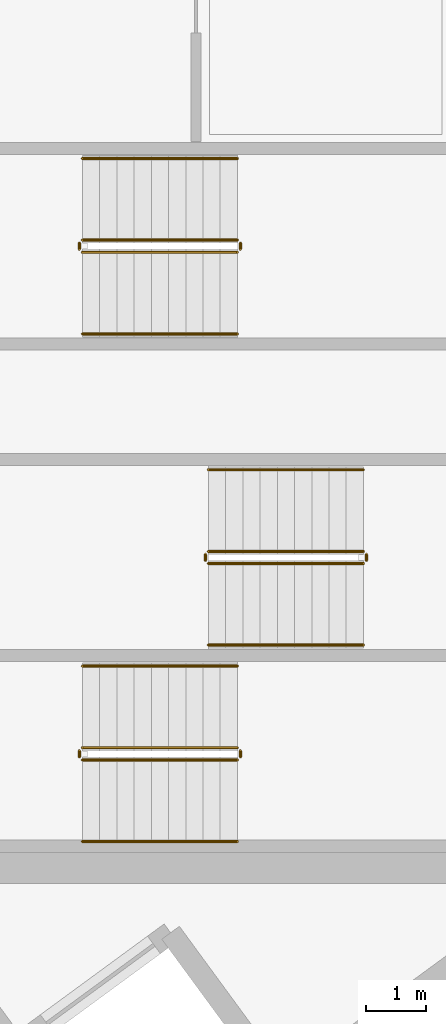
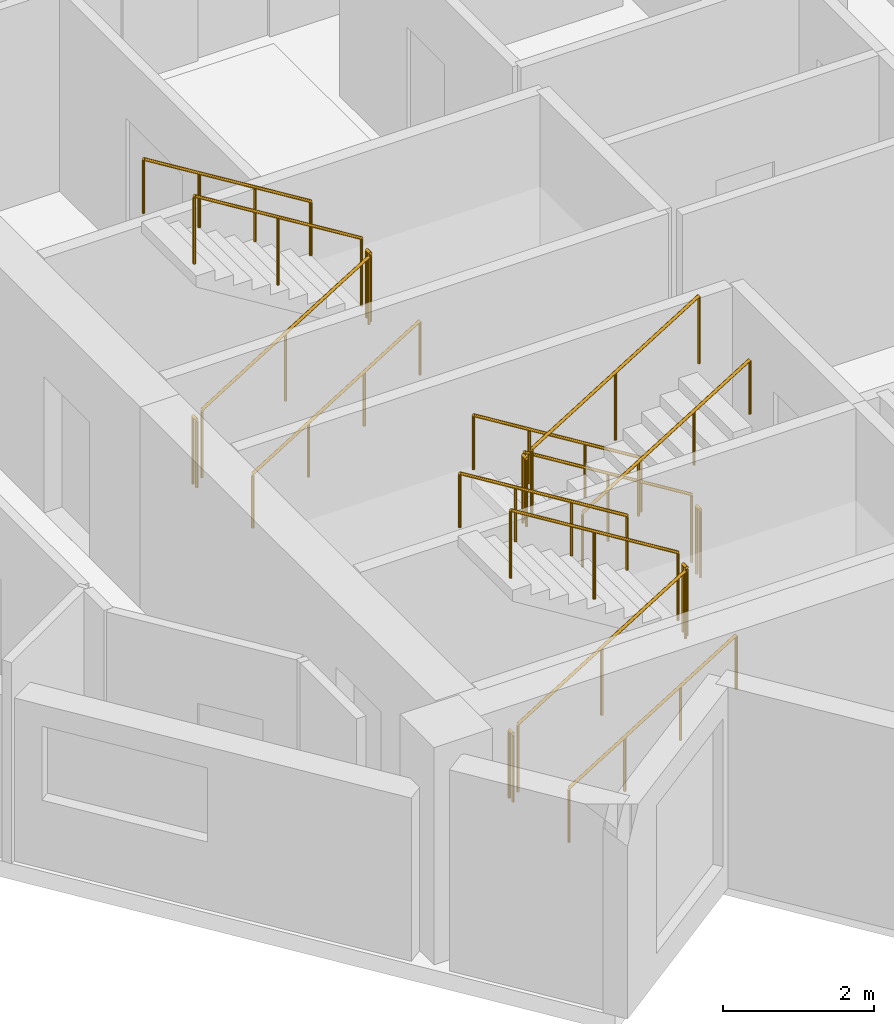
# One storey, part 12 of 13: 18 railings.
"""IFC4 building model written with IfcOpenShell, lengths in metres."""

from ifc_helpers import new_model, si_unit, direction, frame, origin, origin_2d, place, context, subcontext, project, spatial, circle, extrude, material, type_object, element, save


model = new_model("IFC4")

# Units and contexts
model_context = context("Model", 3, precision=1e-05, world=origin(), true_north=direction((0.0, 1.0)))
body_context = subcontext(model_context, "Body", "Model", "MODEL_VIEW")
ifc_project = project(units=[si_unit("LENGTHUNIT", "METRE"), si_unit("AREAUNIT", "SQUARE_METRE"), si_unit("VOLUMEUNIT", "CUBIC_METRE"), si_unit("PLANEANGLEUNIT", "RADIAN"), si_unit("MASSUNIT", "GRAM", prefix="KILO")], contexts=[model_context])

# Site, building, storey
site_placement = place(None, origin())
site = spatial("IfcSite", under=ifc_project, at=site_placement, CompositionType="ELEMENT")
building_placement = place(site_placement, origin())
building = spatial("IfcBuilding", under=site, at=building_placement, Name="Narakoshi Arena Tower", CompositionType="ELEMENT")
storey_placement = place(building_placement, frame((0.0, 0.0, 253.699951171875)))
storey = spatial("IfcBuildingStorey", under=building, at=storey_placement, Name="L69", CompositionType="ELEMENT", Elevation=253.699951171875)

# Railings
ifc_material_1 = material(Name="Clear low-iron laminated structural glass", Category="glass")
railing_type_1 = type_object("IfcRailingType", Name="RL-BAL-1100", PredefinedType="BALUSTRADE", material=ifc_material_1)
railing_1_placement = place(storey_placement, frame((74.39990234375, 36.949951171875, 0.176025390625)))
element("IfcRailing", 1, at=railing_1_placement, inside=storey, type_object=railing_type_1, Name="L69 ST1 stair guard 1", PredefinedType="BALUSTRADE", context=body_context, shape_type="SweptSolid", body=[
    extrude(circle(Radius=0.02392578125, at=origin_2d()), frame((0.0, 0.0, 1.09619140625), z_axis=(0.850856559306, 0.0, 0.525398054323), x_axis=(0.0, 1.0, 0.0)), (0.0, 0.0, 1.0), 3.014892578125),
    extrude(circle(Radius=0.02099609375, at=origin_2d()), origin(), (0.0, 0.0, 1.0), 1.072021484375),
    extrude(circle(Radius=0.02099609375, at=origin_2d()), frame((1.28271484375, 0.0, 0.7919921875)), (0.0, 0.0, 1.0), 1.072021484375),
    extrude(circle(Radius=0.02099609375, at=origin_2d()), frame((2.565185546875, 0.0, 1.583984375)), (0.0, 0.0, 1.0), 1.072021484375),
])
railing_2_placement = place(storey_placement, frame((77.014892578125, 37.0, 1.760009765625)))
element("IfcRailing", 2, at=railing_2_placement, inside=storey, type_object=railing_type_1, Name="L69 ST1 stair guard 2", PredefinedType="BALUSTRADE", context=body_context, shape_type="SweptSolid", body=[
    extrude(circle(Radius=0.02392578125, at=origin_2d()), frame((0.0, 0.0, 1.09619140625), z_axis=(0.0, 1.0, 0.0), x_axis=(-1.0, 0.0, 0.0)), (0.0, 0.0, 1.0), 0.10009765625),
    extrude(circle(Radius=0.02099609375, at=origin_2d()), origin(), (0.0, 0.0, 1.0), 1.072021484375),
    extrude(circle(Radius=0.02099609375, at=origin_2d()), frame((0.0, 0.10009765625, 0.0)), (0.0, 0.0, 1.0), 1.072021484375),
])
railing_3_placement = place(storey_placement, frame((76.965087890625, 37.14990234375, 1.93603515625)))
element("IfcRailing", 3, at=railing_3_placement, inside=storey, type_object=railing_type_1, Name="L69 ST1 stair guard 3", PredefinedType="BALUSTRADE", context=body_context, shape_type="SweptSolid", body=[
    extrude(circle(Radius=0.02392578125, at=origin_2d()), frame((0.0, 0.0, 1.09619140625), z_axis=(-0.850856559306, 0.0, 0.525398054323), x_axis=(0.0, -1.0, 0.0)), (0.0, 0.0, 1.0), 3.014892578125),
    extrude(circle(Radius=0.02099609375, at=origin_2d()), origin(), (0.0, 0.0, 1.0), 1.072021484375),
    extrude(circle(Radius=0.02099609375, at=origin_2d()), frame((-1.28271484375, 0.0, 0.7919921875)), (0.0, 0.0, 1.0), 1.072021484375),
    extrude(circle(Radius=0.02099609375, at=origin_2d()), frame((-2.565185546875, 0.0, 1.583984375)), (0.0, 0.0, 1.0), 1.072021484375),
])
railing_4_placement = place(storey_placement, frame((74.35009765625, 37.0, 0.0)))
element("IfcRailing", 4, at=railing_4_placement, inside=storey, type_object=railing_type_1, Name="L69 ST1 stair guard 4", PredefinedType="BALUSTRADE", context=body_context, shape_type="SweptSolid", body=[
    extrude(circle(Radius=0.02392578125, at=origin_2d()), frame((0.0, 0.0, 1.09619140625), z_axis=(0.0, 1.0, 0.0), x_axis=(-1.0, 0.0, 0.0)), (0.0, 0.0, 1.0), 0.10009765625),
    extrude(circle(Radius=0.02099609375, at=origin_2d()), origin(), (0.0, 0.0, 1.0), 1.072021484375),
    extrude(circle(Radius=0.02099609375, at=origin_2d()), frame((0.0, 0.10009765625, 0.0)), (0.0, 0.0, 1.0), 1.072021484375),
])
railing_5_placement = place(storey_placement, frame((79.050048828125, 40.39990234375, 0.176025390625)))
element("IfcRailing", 5, at=railing_5_placement, inside=storey, type_object=railing_type_1, Name="L69 ST2 stair guard 1", PredefinedType="BALUSTRADE", context=body_context, shape_type="SweptSolid", body=[
    extrude(circle(Radius=0.02392578125, at=origin_2d()), frame((0.0, 0.0, 1.09619140625), z_axis=(-0.850834203031, 0.0, 0.525434257497), x_axis=(0.0, -1.0, 0.0)), (0.0, 0.0, 1.0), 3.0146484375),
    extrude(circle(Radius=0.02099609375, at=origin_2d()), origin(), (0.0, 0.0, 1.0), 1.072021484375),
    extrude(circle(Radius=0.02099609375, at=origin_2d()), frame((-1.282470703125, 0.0, 0.7919921875)), (0.0, 0.0, 1.0), 1.072021484375),
    extrude(circle(Radius=0.02099609375, at=origin_2d()), frame((-2.56494140625, 0.0, 1.583984375)), (0.0, 0.0, 1.0), 1.072021484375),
])
railing_6_placement = place(storey_placement, frame((76.43505859375, 40.35009765625, 1.760009765625)))
element("IfcRailing", 6, at=railing_6_placement, inside=storey, type_object=railing_type_1, Name="L69 ST2 stair guard 2", PredefinedType="BALUSTRADE", context=body_context, shape_type="SweptSolid", body=[
    extrude(circle(Radius=0.02392578125, at=origin_2d()), frame((0.0, 0.0, 1.09619140625), z_axis=(0.0, -1.0, 0.0), x_axis=(1.0, 0.0, 0.0)), (0.0, 0.0, 1.0), 0.10009765625),
    extrude(circle(Radius=0.02099609375, at=origin_2d()), origin(), (0.0, 0.0, 1.0), 1.072021484375),
    extrude(circle(Radius=0.02099609375, at=origin_2d()), frame((0.0, -0.10009765625, 0.0)), (0.0, 0.0, 1.0), 1.072021484375),
])
railing_7_placement = place(storey_placement, frame((76.485107421875, 40.199951171875, 1.93603515625)))
element("IfcRailing", 7, at=railing_7_placement, inside=storey, type_object=railing_type_1, Name="L69 ST2 stair guard 3", PredefinedType="BALUSTRADE", context=body_context, shape_type="SweptSolid", body=[
    extrude(circle(Radius=0.02392578125, at=origin_2d()), frame((0.0, 0.0, 1.09619140625), z_axis=(0.850834203031, 0.0, 0.525434257497), x_axis=(0.0, 1.0, 0.0)), (0.0, 0.0, 1.0), 3.0146484375),
    extrude(circle(Radius=0.02099609375, at=origin_2d()), origin(), (0.0, 0.0, 1.0), 1.072021484375),
    extrude(circle(Radius=0.02099609375, at=origin_2d()), frame((1.282470703125, 0.0, 0.7919921875)), (0.0, 0.0, 1.0), 1.072021484375),
    extrude(circle(Radius=0.02099609375, at=origin_2d()), frame((2.56494140625, 0.0, 1.583984375)), (0.0, 0.0, 1.0), 1.072021484375),
])
railing_8_placement = place(storey_placement, frame((79.10009765625, 40.35009765625, 0.0)))
element("IfcRailing", 8, at=railing_8_placement, inside=storey, type_object=railing_type_1, Name="L69 ST2 stair guard 4", PredefinedType="BALUSTRADE", context=body_context, shape_type="SweptSolid", body=[
    extrude(circle(Radius=0.02392578125, at=origin_2d()), frame((0.0, 0.0, 1.09619140625), z_axis=(0.0, -1.0, 0.0), x_axis=(1.0, 0.0, 0.0)), (0.0, 0.0, 1.0), 0.10009765625),
    extrude(circle(Radius=0.02099609375, at=origin_2d()), origin(), (0.0, 0.0, 1.0), 1.072021484375),
    extrude(circle(Radius=0.02099609375, at=origin_2d()), frame((0.0, -0.10009765625, 0.0)), (0.0, 0.0, 1.0), 1.072021484375),
])
railing_9_placement = place(storey_placement, frame((74.39990234375, 45.35009765625, 0.176025390625)))
element("IfcRailing", 9, at=railing_9_placement, inside=storey, type_object=railing_type_1, Name="L69 ST3 stair guard 1", PredefinedType="BALUSTRADE", context=body_context, shape_type="SweptSolid", body=[
    extrude(circle(Radius=0.02392578125, at=origin_2d()), frame((0.0, 0.0, 1.09619140625), z_axis=(0.850856559306, 0.0, 0.525398054323), x_axis=(0.0, 1.0, 0.0)), (0.0, 0.0, 1.0), 3.014892578125),
    extrude(circle(Radius=0.02099609375, at=origin_2d()), origin(), (0.0, 0.0, 1.0), 1.072021484375),
    extrude(circle(Radius=0.02099609375, at=origin_2d()), frame((1.28271484375, 0.0, 0.7919921875)), (0.0, 0.0, 1.0), 1.072021484375),
    extrude(circle(Radius=0.02099609375, at=origin_2d()), frame((2.565185546875, 0.0, 1.583984375)), (0.0, 0.0, 1.0), 1.072021484375),
])
railing_10_placement = place(storey_placement, frame((77.014892578125, 45.39990234375, 1.760009765625)))
element("IfcRailing", 10, at=railing_10_placement, inside=storey, type_object=railing_type_1, Name="L69 ST3 stair guard 2", PredefinedType="BALUSTRADE", context=body_context, shape_type="SweptSolid", body=[
    extrude(circle(Radius=0.02392578125, at=origin_2d()), frame((0.0, 0.0, 1.09619140625), z_axis=(0.0, 1.0, 0.0), x_axis=(-1.0, 0.0, 0.0)), (0.0, 0.0, 1.0), 0.10009765625),
    extrude(circle(Radius=0.02099609375, at=origin_2d()), origin(), (0.0, 0.0, 1.0), 1.072021484375),
    extrude(circle(Radius=0.02099609375, at=origin_2d()), frame((0.0, 0.10009765625, 0.0)), (0.0, 0.0, 1.0), 1.072021484375),
])
railing_11_placement = place(storey_placement, frame((76.965087890625, 45.550048828125, 1.93603515625)))
element("IfcRailing", 11, at=railing_11_placement, inside=storey, type_object=railing_type_1, Name="L69 ST3 stair guard 3", PredefinedType="BALUSTRADE", context=body_context, shape_type="SweptSolid", body=[
    extrude(circle(Radius=0.02392578125, at=origin_2d()), frame((0.0, 0.0, 1.09619140625), z_axis=(-0.850856559306, 0.0, 0.525398054323), x_axis=(0.0, -1.0, 0.0)), (0.0, 0.0, 1.0), 3.014892578125),
    extrude(circle(Radius=0.02099609375, at=origin_2d()), origin(), (0.0, 0.0, 1.0), 1.072021484375),
    extrude(circle(Radius=0.02099609375, at=origin_2d()), frame((-1.28271484375, 0.0, 0.7919921875)), (0.0, 0.0, 1.0), 1.072021484375),
    extrude(circle(Radius=0.02099609375, at=origin_2d()), frame((-2.565185546875, 0.0, 1.583984375)), (0.0, 0.0, 1.0), 1.072021484375),
])
railing_12_placement = place(storey_placement, frame((74.35009765625, 45.39990234375, 0.0)))
element("IfcRailing", 12, at=railing_12_placement, inside=storey, type_object=railing_type_1, Name="L69 ST3 stair guard 4", PredefinedType="BALUSTRADE", context=body_context, shape_type="SweptSolid", body=[
    extrude(circle(Radius=0.02392578125, at=origin_2d()), frame((0.0, 0.0, 1.09619140625), z_axis=(0.0, 1.0, 0.0), x_axis=(-1.0, 0.0, 0.0)), (0.0, 0.0, 1.0), 0.10009765625),
    extrude(circle(Radius=0.02099609375, at=origin_2d()), origin(), (0.0, 0.0, 1.0), 1.072021484375),
    extrude(circle(Radius=0.02099609375, at=origin_2d()), frame((0.0, 0.10009765625, 0.0)), (0.0, 0.0, 1.0), 1.072021484375),
])
ifc_material_2 = material(Name="Brushed bronze stainless steel", Category="steel")
railing_type_2 = type_object("IfcRailingType", Name="RL-HND-900", PredefinedType="HANDRAIL", material=ifc_material_2)
railing_13_placement = place(storey_placement, frame((74.39990234375, 35.60009765625, 0.176025390625)))
element("IfcRailing", 13, at=railing_13_placement, inside=storey, type_object=railing_type_2, Name="L69 ST1 stair handrail 1", PredefinedType="HANDRAIL", context=body_context, shape_type="SweptSolid", body=[
    extrude(circle(Radius=0.02392578125, at=origin_2d()), frame((0.0, 0.0, 0.8759765625), z_axis=(0.850856559306, 0.0, 0.525398054323), x_axis=(0.0, 1.0, 0.0)), (0.0, 0.0, 1.0), 3.014892578125),
    extrude(circle(Radius=0.02099609375, at=origin_2d()), origin(), (0.0, 0.0, 1.0), 0.851806640625),
    extrude(circle(Radius=0.02099609375, at=origin_2d()), frame((0.85498046875, 0.0, 0.528076171875)), (0.0, 0.0, 1.0), 0.851806640625),
    extrude(circle(Radius=0.02099609375, at=origin_2d()), frame((1.710205078125, 0.0, 1.055908203125)), (0.0, 0.0, 1.0), 0.851806640625),
    extrude(circle(Radius=0.02099609375, at=origin_2d()), frame((2.565185546875, 0.0, 1.583984375)), (0.0, 0.0, 1.0), 0.851806640625),
])
railing_14_placement = place(storey_placement, frame((76.965087890625, 38.5, 1.93603515625)))
element("IfcRailing", 14, at=railing_14_placement, inside=storey, type_object=railing_type_2, Name="L69 ST1 stair handrail 2", PredefinedType="HANDRAIL", context=body_context, shape_type="SweptSolid", body=[
    extrude(circle(Radius=0.02392578125, at=origin_2d()), frame((0.0, 0.0, 0.8759765625), z_axis=(-0.850856559306, 0.0, 0.525398054323), x_axis=(0.0, -1.0, 0.0)), (0.0, 0.0, 1.0), 3.014892578125),
    extrude(circle(Radius=0.02099609375, at=origin_2d()), origin(), (0.0, 0.0, 1.0), 0.851806640625),
    extrude(circle(Radius=0.02099609375, at=origin_2d()), frame((-0.85498046875, 0.0, 0.528076171875)), (0.0, 0.0, 1.0), 0.851806640625),
    extrude(circle(Radius=0.02099609375, at=origin_2d()), frame((-1.710205078125, 0.0, 1.055908203125)), (0.0, 0.0, 1.0), 0.851806640625),
    extrude(circle(Radius=0.02099609375, at=origin_2d()), frame((-2.565185546875, 0.0, 1.583984375)), (0.0, 0.0, 1.0), 0.851806640625),
])
railing_15_placement = place(storey_placement, frame((79.050048828125, 41.75, 0.176025390625)))
element("IfcRailing", 15, at=railing_15_placement, inside=storey, type_object=railing_type_2, Name="L69 ST2 stair handrail 1", PredefinedType="HANDRAIL", context=body_context, shape_type="SweptSolid", body=[
    extrude(circle(Radius=0.02392578125, at=origin_2d()), frame((0.0, 0.0, 0.8759765625), z_axis=(-0.850834203031, 0.0, 0.525434257497), x_axis=(0.0, -1.0, 0.0)), (0.0, 0.0, 1.0), 3.0146484375),
    extrude(circle(Radius=0.02099609375, at=origin_2d()), origin(), (0.0, 0.0, 1.0), 0.851806640625),
    extrude(circle(Radius=0.02099609375, at=origin_2d()), frame((-0.85498046875, 0.0, 0.528076171875)), (0.0, 0.0, 1.0), 0.851806640625),
    extrude(circle(Radius=0.02099609375, at=origin_2d()), frame((-1.7099609375, 0.0, 1.055908203125)), (0.0, 0.0, 1.0), 0.851806640625),
    extrude(circle(Radius=0.02099609375, at=origin_2d()), frame((-2.56494140625, 0.0, 1.583984375)), (0.0, 0.0, 1.0), 0.851806640625),
])
railing_16_placement = place(storey_placement, frame((76.485107421875, 38.85009765625, 1.93603515625)))
element("IfcRailing", 16, at=railing_16_placement, inside=storey, type_object=railing_type_2, Name="L69 ST2 stair handrail 2", PredefinedType="HANDRAIL", context=body_context, shape_type="SweptSolid", body=[
    extrude(circle(Radius=0.02392578125, at=origin_2d()), frame((0.0, 0.0, 0.8759765625), z_axis=(0.850834203031, 0.0, 0.525434257497), x_axis=(0.0, 1.0, 0.0)), (0.0, 0.0, 1.0), 3.0146484375),
    extrude(circle(Radius=0.02099609375, at=origin_2d()), origin(), (0.0, 0.0, 1.0), 0.851806640625),
    extrude(circle(Radius=0.02099609375, at=origin_2d()), frame((0.85498046875, 0.0, 0.528076171875)), (0.0, 0.0, 1.0), 0.851806640625),
    extrude(circle(Radius=0.02099609375, at=origin_2d()), frame((1.7099609375, 0.0, 1.055908203125)), (0.0, 0.0, 1.0), 0.851806640625),
    extrude(circle(Radius=0.02099609375, at=origin_2d()), frame((2.56494140625, 0.0, 1.583984375)), (0.0, 0.0, 1.0), 0.851806640625),
])
railing_17_placement = place(storey_placement, frame((74.39990234375, 44.0, 0.176025390625)))
element("IfcRailing", 17, at=railing_17_placement, inside=storey, type_object=railing_type_2, Name="L69 ST3 stair handrail 1", PredefinedType="HANDRAIL", context=body_context, shape_type="SweptSolid", body=[
    extrude(circle(Radius=0.02392578125, at=origin_2d()), frame((0.0, 0.0, 0.8759765625), z_axis=(0.850856559306, 0.0, 0.525398054323), x_axis=(0.0, 1.0, 0.0)), (0.0, 0.0, 1.0), 3.014892578125),
    extrude(circle(Radius=0.02099609375, at=origin_2d()), origin(), (0.0, 0.0, 1.0), 0.851806640625),
    extrude(circle(Radius=0.02099609375, at=origin_2d()), frame((0.85498046875, 0.0, 0.528076171875)), (0.0, 0.0, 1.0), 0.851806640625),
    extrude(circle(Radius=0.02099609375, at=origin_2d()), frame((1.710205078125, 0.0, 1.055908203125)), (0.0, 0.0, 1.0), 0.851806640625),
    extrude(circle(Radius=0.02099609375, at=origin_2d()), frame((2.565185546875, 0.0, 1.583984375)), (0.0, 0.0, 1.0), 0.851806640625),
])
railing_18_placement = place(storey_placement, frame((76.965087890625, 46.89990234375, 1.93603515625)))
element("IfcRailing", 18, at=railing_18_placement, inside=storey, type_object=railing_type_2, Name="L69 ST3 stair handrail 2", PredefinedType="HANDRAIL", context=body_context, shape_type="SweptSolid", body=[
    extrude(circle(Radius=0.02392578125, at=origin_2d()), frame((0.0, 0.0, 0.8759765625), z_axis=(-0.850856559306, 0.0, 0.525398054323), x_axis=(0.0, -1.0, 0.0)), (0.0, 0.0, 1.0), 3.014892578125),
    extrude(circle(Radius=0.02099609375, at=origin_2d()), origin(), (0.0, 0.0, 1.0), 0.851806640625),
    extrude(circle(Radius=0.02099609375, at=origin_2d()), frame((-0.85498046875, 0.0, 0.528076171875)), (0.0, 0.0, 1.0), 0.851806640625),
    extrude(circle(Radius=0.02099609375, at=origin_2d()), frame((-1.710205078125, 0.0, 1.055908203125)), (0.0, 0.0, 1.0), 0.851806640625),
    extrude(circle(Radius=0.02099609375, at=origin_2d()), frame((-2.565185546875, 0.0, 1.583984375)), (0.0, 0.0, 1.0), 0.851806640625),
])

save(model, "model.ifc")
